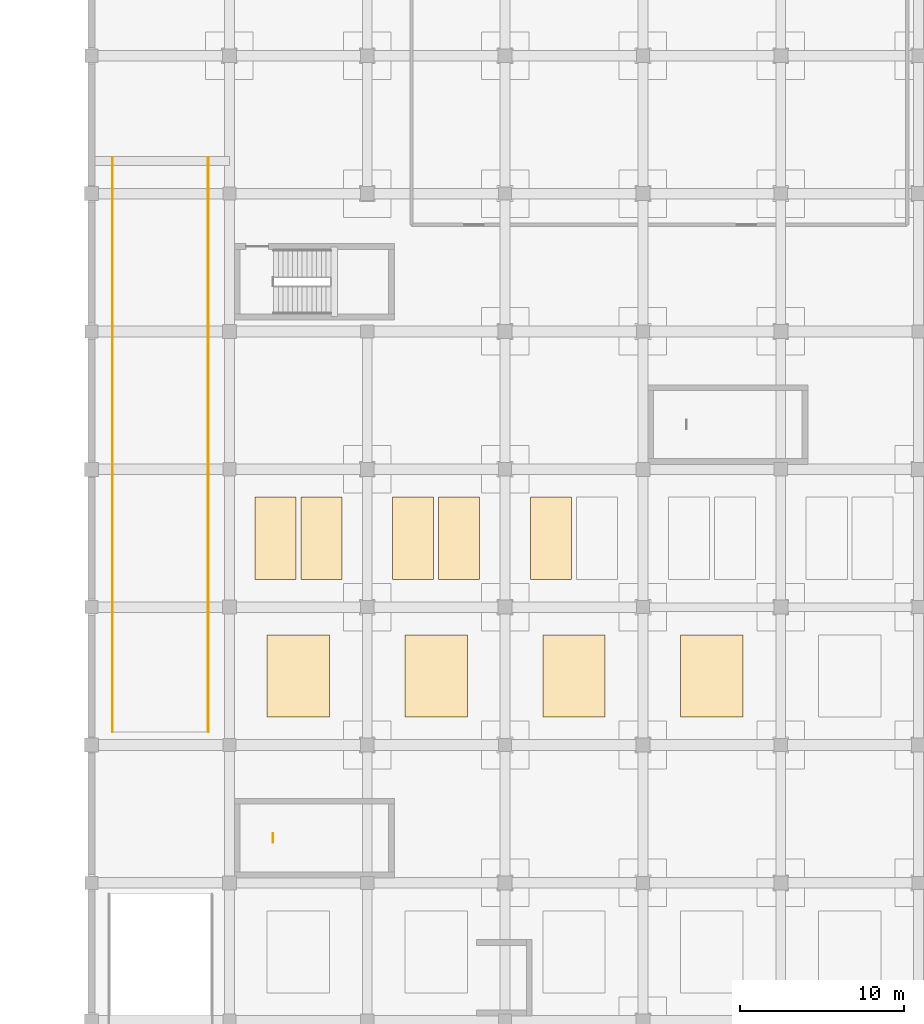
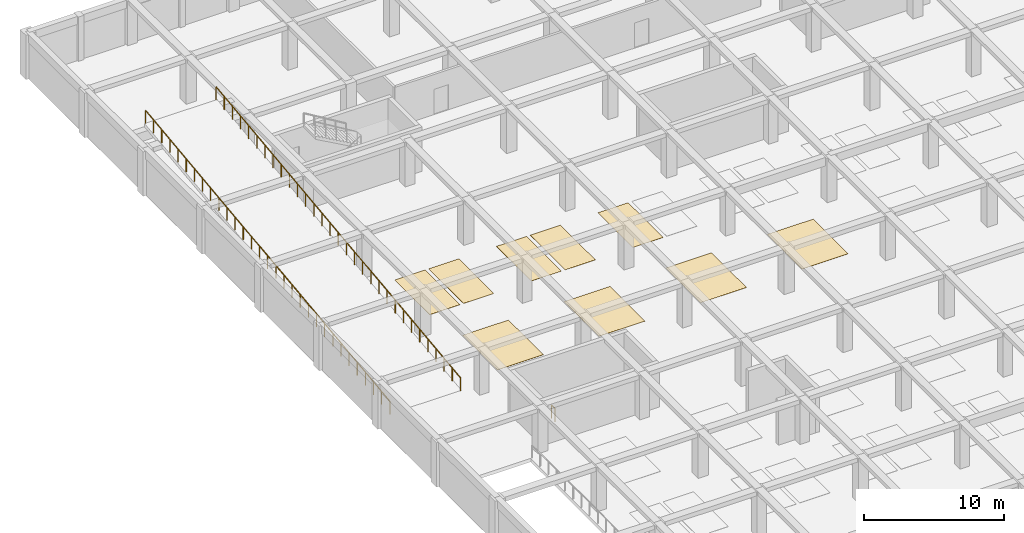
# One storey, part 26 of 32: 9 coverings, 3 railings.
"""IFC4 building model written with IfcOpenShell, lengths in metres."""

import ifcopenshell
import ifcopenshell.guid

model = None  # the IFC model being written
_history = None  # IfcOwnerHistory: only IFC2X3 demands one
_inside = {}  # id of a spatial element -> (the spatial element, [elements in it])
_under = {}  # id of a project, library or spatial element -> (it, [spatial elements below it])
_declared = {}  # id of a project -> (the project, [libraries it declares])
_typed = {}  # id of a type object -> (the type object, [elements of that type])
_made_of = {}  # id of a material, layer set ... -> (it, [elements and type objects made of it])


def new_model(schema):
    """Start an empty IFC model of exactly this schema.

    Asked for "IFC4X3", IfcOpenShell would pick the latest addendum, in which some entities
    have other attributes; the version numbers below select the first issue.
    IFC2X3 requires an IfcOwnerHistory on every rooted entity: one is made here for all.
    """
    global model, _history
    if schema == "IFC4X3":
        model = ifcopenshell.file(schema_version=(4, 3, 0, 0))
    else:
        model = ifcopenshell.file(schema=schema)
    _inside.clear()
    _under.clear()
    _declared.clear()
    _typed.clear()
    _made_of.clear()
    _history = None
    if model.schema == "IFC2X3":
        org = make("IfcOrganization", Name="unknown")
        user = make(
            "IfcPersonAndOrganization",
            ThePerson=make("IfcPerson", FamilyName="unknown"),
            TheOrganization=org,
        )
        app = make(
            "IfcApplication",
            ApplicationDeveloper=org,
            Version="unknown",
            ApplicationFullName="unknown",
            ApplicationIdentifier="unknown",
        )
        _history = make(
            "IfcOwnerHistory",
            OwningUser=user,
            OwningApplication=app,
            ChangeAction="ADDED",
            CreationDate=0,
        )
    return model


def make(cls, **values):
    """One entity of the class cls with the attributes given. An attribute that is None is left unset."""
    return model.create_entity(
        cls, **{name: value for name, value in values.items() if value is not None}
    )


def rooted(cls, **values):
    """An entity with a GlobalId (a new one), such as an element, a storey or a relation."""
    return make(cls, GlobalId=ifcopenshell.guid.new(), OwnerHistory=_history, **values)


def si_unit(unit_type, name, prefix=None):
    """IfcSIUnit, for example si_unit("LENGTHUNIT", "METRE", prefix="MILLI")."""
    return make("IfcSIUnit", UnitType=unit_type, Prefix=prefix, Name=name)


def assignment(units):
    """IfcUnitAssignment: the units of a project."""
    return None if units is None else make("IfcUnitAssignment", Units=units)


def point(xyz):
    """IfcCartesianPoint."""
    return None if xyz is None else make("IfcCartesianPoint", Coordinates=xyz)


def direction(xyz):
    """IfcDirection."""
    return None if xyz is None else make("IfcDirection", DirectionRatios=xyz)


def frame(location, z_axis=None, x_axis=None):
    """IfcAxis2Placement3D, a coordinate frame: its origin and axes. An axis left out is left unset."""
    return make(
        "IfcAxis2Placement3D",
        Location=point(location),
        Axis=direction(z_axis),
        RefDirection=direction(x_axis),
    )


def frame_2d(location, x_axis=None):
    """IfcAxis2Placement2D, a coordinate frame in the plane: its origin and x axis."""
    return make(
        "IfcAxis2Placement2D", Location=point(location), RefDirection=direction(x_axis)
    )


def origin():
    """The frame at (0, 0, 0) with its axes left unset."""
    return frame((0.0, 0.0, 0.0))


def origin_2d():
    """The frame at (0, 0) in the plane with its x axis left unset."""
    return frame_2d((0.0, 0.0))


def place(relative_to, where):
    """IfcLocalPlacement: puts the frame where relative to a parent placement (None: the world)."""
    return make(
        "IfcLocalPlacement", PlacementRelTo=relative_to, RelativePlacement=where
    )


def context(
    kind, dimensions, precision=None, world=None, true_north=None, identifier=None
):
    """IfcGeometricRepresentationContext, for example the 3D "Model" context."""
    return make(
        "IfcGeometricRepresentationContext",
        ContextIdentifier=identifier,
        ContextType=kind,
        CoordinateSpaceDimension=dimensions,
        Precision=precision,
        WorldCoordinateSystem=world,
        TrueNorth=true_north,
    )


def subcontext(parent, identifier, kind, view, scale=None):
    """IfcGeometricRepresentationSubContext, for example "Body" below "Model"."""
    return make(
        "IfcGeometricRepresentationSubContext",
        ContextIdentifier=identifier,
        ContextType=kind,
        ParentContext=parent,
        TargetScale=scale,
        TargetView=view,
    )


def project(units=None, contexts=None):
    """IfcProject with its units and contexts."""
    return rooted(
        "IfcProject",
        Name="project",
        RepresentationContexts=contexts,
        UnitsInContext=assignment(units),
    )


def spatial(cls, under=None, at=None, **own):
    """A site, building, storey or space (cls), placed at a placement, below another one or the project."""
    s = rooted(cls, ObjectPlacement=at, **own)
    if under is not None:
        _under.setdefault(under.id(), (under, []))[1].append(s)
    return s


def profile(cls, at=None, kind="AREA", **sizes):
    """A parametric profile (cls). Its sizes go by their IFC names, for example OverallWidth=200.0."""
    return make(cls, ProfileType=kind, Position=at, **sizes)


def rectangle(**sizes):
    """IfcRectangleProfileDef."""
    return profile("IfcRectangleProfileDef", **sizes)


def circle(**sizes):
    """IfcCircleProfileDef."""
    return profile("IfcCircleProfileDef", **sizes)


def extrude(swept, where, along, depth):
    """IfcExtrudedAreaSolid: the profile swept, set in the frame where, extruded along a direction by depth."""
    return make(
        "IfcExtrudedAreaSolid",
        SweptArea=swept,
        Position=where,
        ExtrudedDirection=direction(along),
        Depth=depth,
    )


def shape(context_of_items, identifier, shape_type, items):
    """IfcShapeRepresentation: the items that make up one representation, for example the "Body"."""
    return make(
        "IfcShapeRepresentation",
        ContextOfItems=context_of_items,
        RepresentationIdentifier=identifier,
        RepresentationType=shape_type,
        Items=items,
    )


def material(Name=None, Category=None):
    """IfcMaterial."""
    return make("IfcMaterial", Name=Name, Category=Category)


def layer(
    of_material, thickness, ventilated=None, Name=None, Category=None, Priority=None
):
    """IfcMaterialLayer: one layer of a wall or slab, of a material (None: an air gap)."""
    return make(
        "IfcMaterialLayer",
        Material=of_material,
        LayerThickness=thickness,
        IsVentilated=ventilated,
        Name=Name,
        Category=Category,
        Priority=Priority,
    )


def layer_set(layers, Name=None):
    """IfcMaterialLayerSet."""
    return make("IfcMaterialLayerSet", MaterialLayers=layers, LayerSetName=Name)


def made_of(thing, what):
    """Note that an element or type object is made of a material, layer set ...; save() writes the relation."""
    if what is not None:
        _made_of.setdefault(what.id(), (what, []))[1].append(thing)
    return thing


def type_object(cls, material=None, **own):
    """A type object (cls), such as IfcWallType, which elements share."""
    return made_of(rooted(cls, **own), material)


def element(
    cls,
    number,
    at=None,
    inside=None,
    cuts=None,
    type_object=None,
    material=None,
    context=None,
    identifier="Body",
    shape_type=None,
    held_by="IfcProductDefinitionShape",
    body=None,
    shapes=None,
    **own,
):
    """One element of the class cls, such as IfcWall. Its Tag is "e" and its number.

    at: its placement. inside: the storey or other place that contains it. cuts: it is an
    opening in that element (IfcRelVoidsElement). A single representation is given by context,
    identifier, shape_type and body (its items); several are given by shapes. held_by: the class
    of the entity that holds the representations. save() writes the other relations.
    """
    e = rooted(cls, Tag="e%d" % number, ObjectPlacement=at, **own)
    if body is not None:
        shapes = [shape(context, identifier, shape_type, body)]
    if shapes is not None:
        e.Representation = make(held_by, Representations=shapes)
    if inside is not None:
        _inside.setdefault(inside.id(), (inside, []))[1].append(e)
    if cuts is not None:
        rooted(
            "IfcRelVoidsElement", RelatingBuildingElement=cuts, RelatedOpeningElement=e
        )
    if type_object is not None:
        _typed.setdefault(type_object.id(), (type_object, []))[1].append(e)
    return made_of(e, material)


def aggregate(whole, parts):
    """IfcRelAggregates: a whole, such as a stair, and the parts it consists of."""
    return rooted("IfcRelAggregates", RelatingObject=whole, RelatedObjects=parts)


def save(model, path):
    """Write the relations noted so far, then the file.

    IfcRelAggregates (storeys below a building ...), IfcRelContainedInSpatialStructure (elements
    in a storey), IfcRelDefinesByType, IfcRelAssociatesMaterial and IfcRelDeclares: one each for
    every whole, place, type object, material and project.
    """
    for whole, parts in _under.values():
        aggregate(whole, parts)
    for where, things in _inside.values():
        rooted(
            "IfcRelContainedInSpatialStructure",
            RelatedElements=things,
            RelatingStructure=where,
        )
    for kind, things in _typed.values():
        rooted("IfcRelDefinesByType", RelatedObjects=things, RelatingType=kind)
    for what, things in _made_of.values():
        rooted("IfcRelAssociatesMaterial", RelatedObjects=things, RelatingMaterial=what)
    for by, libraries in _declared.values():
        rooted("IfcRelDeclares", RelatingContext=by, RelatedDefinitions=libraries)
    model.write(path)


model = new_model("IFC4")

# Units and contexts
model_context = context("Model", 3, precision=1e-05, world=origin(), true_north=direction((0.0, 1.0)))
body_context = subcontext(model_context, "Body", "Model", "MODEL_VIEW")
ifc_project = project(units=[si_unit("LENGTHUNIT", "METRE"), si_unit("AREAUNIT", "SQUARE_METRE"), si_unit("VOLUMEUNIT", "CUBIC_METRE"), si_unit("PLANEANGLEUNIT", "RADIAN"), si_unit("MASSUNIT", "GRAM", prefix="KILO")], contexts=[model_context])

# Site, building, storey
site_placement = place(None, origin())
site = spatial("IfcSite", under=ifc_project, at=site_placement, CompositionType="ELEMENT")
building_placement = place(site_placement, origin())
building = spatial("IfcBuilding", under=site, at=building_placement, Name="Almacenes y Pasaje Nevantli", CompositionType="ELEMENT")
storey_placement = place(building_placement, frame((0.0, 0.0, -4.199951171875)))
storey = spatial("IfcBuildingStorey", under=building, at=storey_placement, Name="B01", CompositionType="ELEMENT", Elevation=-4.199951171875)

# Coverings
ifc_material_1 = material(Name="Thermoplastic Accessible Stall Marking", Category="stone")
ifc_layer_1 = layer(ifc_material_1, 0.010009765625)
ifc_layer_set_1 = layer_set([ifc_layer_1], Name="Thermoplastic Accessible Stall Marking")
covering_type_1 = type_object("IfcCoveringType", Name="COV-PARK-ACC", PredefinedType="FLOORING", material=ifc_layer_set_1)
for number, where, z_axis, x_axis, name in (
    (1, (12.60009765625, 71.39990234375, 0.0), (0.0, 0.0, 1.0), (1.0, 0.0, 0.0), "B01 Accessible Parking Bay Marking #22"),
    (2, (21.0, 71.39990234375, 0.0), (0.0, 0.0, 1.0), (1.0, 0.0, 0.0), "B01 Accessible Parking Bay Marking #23"),
    (3, (29.39990234375, 71.39990234375, 0.0), (0.0, 0.0, 1.0), (1.0, 0.0, 0.0), "B01 Accessible Parking Bay Marking #24"),
    (4, (37.800048828125, 71.39990234375, 0.0), (0.0, 0.0, 1.0), (1.0, 0.0, 0.0), "B01 Accessible Parking Bay Marking #25"),
):
    element("IfcCovering", number, at=place(storey_placement, frame(where, z_axis=z_axis, x_axis=x_axis)), inside=storey, type_object=covering_type_1, Name=name, PredefinedType="FLOORING", context=body_context, shape_type="SweptSolid", body=[
        extrude(rectangle(XDim=3.800048828125, YDim=5.0, at=origin_2d()), origin(), (0.0, 0.0, 1.0), 0.010009765625),
    ])
ifc_material_2 = material(Name="Thermoplastic Traffic Deck Marking", Category="stone")
ifc_layer_2 = layer(ifc_material_2, 0.010009765625)
ifc_layer_set_2 = layer_set([ifc_layer_2], Name="Thermoplastic Traffic Deck Marking")
covering_type_2 = type_object("IfcCoveringType", Name="COV-PARK-BAY", PredefinedType="FLOORING", material=ifc_layer_set_2)
for number, where, z_axis, x_axis, name in (
    (5, (11.199951171875, 79.800048828125, 0.0), (0.0, 0.0, 1.0), (1.0, 0.0, 0.0), "B01 Underground Parking Bay Marking #83"),
    (6, (14.0, 79.800048828125, 0.0), (0.0, 0.0, 1.0), (1.0, 0.0, 0.0), "B01 Underground Parking Bay Marking #84"),
    (7, (19.60009765625, 79.800048828125, 0.0), (0.0, 0.0, 1.0), (1.0, 0.0, 0.0), "B01 Underground Parking Bay Marking #85"),
    (8, (22.39990234375, 79.800048828125, 0.0), (0.0, 0.0, 1.0), (1.0, 0.0, 0.0), "B01 Underground Parking Bay Marking #86"),
    (9, (28.0, 79.800048828125, 0.0), (0.0, 0.0, 1.0), (1.0, 0.0, 0.0), "B01 Underground Parking Bay Marking #87"),
):
    element("IfcCovering", number, at=place(storey_placement, frame(where, z_axis=z_axis, x_axis=x_axis)), inside=storey, type_object=covering_type_2, Name=name, PredefinedType="FLOORING", context=body_context, shape_type="SweptSolid", body=[
        extrude(rectangle(XDim=2.5, YDim=5.0, at=origin_2d()), origin(), (0.0, 0.0, 1.0), 0.010009765625),
    ])

# Railings
ifc_material_3 = material(Name="Brushed Stainless Steel and Tempered Safety Glass", Category="steel")
railing_type = type_object("IfcRailingType", Name="RL-GUARD-1100", PredefinedType="BALUSTRADE", material=ifc_material_3)
railing_1_placement = place(storey_placement, frame((11.06005859375, 61.260009765625, 0.0)))
element("IfcRailing", 10, at=railing_1_placement, inside=storey, type_object=railing_type, Name="B01 Stair ST-12 Landing Well Slot Guard", PredefinedType="BALUSTRADE", context=body_context, shape_type="SweptSolid", body=[
    extrude(circle(Radius=0.02392578125, at=origin_2d()), frame((0.0, 0.030029296875, 1.1259765625), z_axis=(0.0, 1.0, 0.0), x_axis=(-1.0, 0.0, 0.0)), (0.0, 0.0, 1.0), 0.469970703125),
    extrude(circle(Radius=0.02099609375, at=origin_2d()), origin(), (0.0, 0.0, 1.0), 1.096923828125),
    extrude(circle(Radius=0.02099609375, at=origin_2d()), frame((0.0, 0.530029296875, 0.0)), (0.0, 0.0, 1.0), 1.096923828125),
])
railing_2_placement = place(storey_placement, frame((1.280029296875, 68.0, 0.0)))
element("IfcRailing", 11, at=railing_2_placement, inside=storey, type_object=railing_type, Name="B01 Vehicular Ramp RP-02 West Curb Guard", PredefinedType="BALUSTRADE", context=body_context, shape_type="SweptSolid", body=[
    extrude(circle(Radius=0.02392578125, at=origin_2d()), frame((0.0, 0.02978515625, 1.12939453125), z_axis=(0.0, 0.992877002345, 0.119143855129), x_axis=(-1.0, 0.0, 0.0)), (0.0, 0.0, 1.0), 35.191162109375),
    extrude(circle(Radius=0.02099609375, at=origin_2d()), origin(), (0.0, 0.0, 1.0), 1.096923828125),
    extrude(circle(Radius=0.02099609375, at=origin_2d()), frame((0.0, 1.166748046875, 0.139892578125)), (0.0, 0.0, 1.0), 1.096923828125),
    extrude(circle(Radius=0.02099609375, at=origin_2d()), frame((0.0, 2.333251953125, 0.280029296875)), (0.0, 0.0, 1.0), 1.096923828125),
    extrude(circle(Radius=0.02099609375, at=origin_2d()), frame((0.0, 3.5, 0.419921875)), (0.0, 0.0, 1.0), 1.096923828125),
    extrude(circle(Radius=0.02099609375, at=origin_2d()), frame((0.0, 4.666748046875, 0.56005859375)), (0.0, 0.0, 1.0), 1.096923828125),
    extrude(circle(Radius=0.02099609375, at=origin_2d()), frame((0.0, 5.833251953125, 0.699951171875)), (0.0, 0.0, 1.0), 1.096923828125),
    extrude(circle(Radius=0.02099609375, at=origin_2d()), frame((0.0, 7.0, 0.840087890625)), (0.0, 0.0, 1.0), 1.096923828125),
    extrude(circle(Radius=0.02099609375, at=origin_2d()), frame((0.0, 8.166748046875, 0.97998046875)), (0.0, 0.0, 1.0), 1.096923828125),
    extrude(circle(Radius=0.02099609375, at=origin_2d()), frame((0.0, 9.333251953125, 1.119873046875)), (0.0, 0.0, 1.0), 1.096923828125),
    extrude(circle(Radius=0.02099609375, at=origin_2d()), frame((0.0, 10.5, 1.260009765625)), (0.0, 0.0, 1.0), 1.096923828125),
    extrude(circle(Radius=0.02099609375, at=origin_2d()), frame((0.0, 11.666748046875, 1.39990234375)), (0.0, 0.0, 1.0), 1.096923828125),
    extrude(circle(Radius=0.02099609375, at=origin_2d()), frame((0.0, 12.833251953125, 1.5400390625)), (0.0, 0.0, 1.0), 1.096923828125),
    extrude(circle(Radius=0.02099609375, at=origin_2d()), frame((0.0, 14.0, 1.679931640625)), (0.0, 0.0, 1.0), 1.096923828125),
    extrude(circle(Radius=0.02099609375, at=origin_2d()), frame((0.0, 15.166748046875, 1.820068359375)), (0.0, 0.0, 1.0), 1.096923828125),
    extrude(circle(Radius=0.02099609375, at=origin_2d()), frame((0.0, 16.333251953125, 1.9599609375)), (0.0, 0.0, 1.0), 1.096923828125),
    extrude(circle(Radius=0.02099609375, at=origin_2d()), frame((0.0, 17.5, 2.10009765625)), (0.0, 0.0, 1.0), 1.096923828125),
    extrude(circle(Radius=0.02099609375, at=origin_2d()), frame((0.0, 18.666748046875, 2.239990234375)), (0.0, 0.0, 1.0), 1.096923828125),
    extrude(circle(Radius=0.02099609375, at=origin_2d()), frame((0.0, 19.833251953125, 2.3798828125)), (0.0, 0.0, 1.0), 1.096923828125),
    extrude(circle(Radius=0.02099609375, at=origin_2d()), frame((0.0, 21.0, 2.52001953125)), (0.0, 0.0, 1.0), 1.096923828125),
    extrude(circle(Radius=0.02099609375, at=origin_2d()), frame((0.0, 22.166748046875, 2.659912109375)), (0.0, 0.0, 1.0), 1.096923828125),
    extrude(circle(Radius=0.02099609375, at=origin_2d()), frame((0.0, 23.333251953125, 2.800048828125)), (0.0, 0.0, 1.0), 1.096923828125),
    extrude(circle(Radius=0.02099609375, at=origin_2d()), frame((0.0, 24.5, 2.93994140625)), (0.0, 0.0, 1.0), 1.096923828125),
    extrude(circle(Radius=0.02099609375, at=origin_2d()), frame((0.0, 25.666748046875, 3.080078125)), (0.0, 0.0, 1.0), 1.096923828125),
    extrude(circle(Radius=0.02099609375, at=origin_2d()), frame((0.0, 26.833251953125, 3.219970703125)), (0.0, 0.0, 1.0), 1.096923828125),
    extrude(circle(Radius=0.02099609375, at=origin_2d()), frame((0.0, 28.0, 3.35986328125)), (0.0, 0.0, 1.0), 1.096923828125),
    extrude(circle(Radius=0.02099609375, at=origin_2d()), frame((0.0, 29.166748046875, 3.5)), (0.0, 0.0, 1.0), 1.096923828125),
    extrude(circle(Radius=0.02099609375, at=origin_2d()), frame((0.0, 30.333251953125, 3.639892578125)), (0.0, 0.0, 1.0), 1.096923828125),
    extrude(circle(Radius=0.02099609375, at=origin_2d()), frame((0.0, 31.5, 3.780029296875)), (0.0, 0.0, 1.0), 1.096923828125),
    extrude(circle(Radius=0.02099609375, at=origin_2d()), frame((0.0, 32.666748046875, 3.919921875)), (0.0, 0.0, 1.0), 1.096923828125),
    extrude(circle(Radius=0.02099609375, at=origin_2d()), frame((0.0, 33.833251953125, 4.06005859375)), (0.0, 0.0, 1.0), 1.096923828125),
    extrude(circle(Radius=0.02099609375, at=origin_2d()), frame((0.0, 35.0, 4.199951171875)), (0.0, 0.0, 1.0), 1.096923828125),
])
railing_3_placement = place(storey_placement, frame((7.1201171875, 68.0, 0.0)))
element("IfcRailing", 12, at=railing_3_placement, inside=storey, type_object=railing_type, Name="B01 Vehicular Ramp RP-02 East Curb Guard", PredefinedType="BALUSTRADE", context=body_context, shape_type="SweptSolid", body=[
    extrude(circle(Radius=0.02392578125, at=origin_2d()), frame((0.0, 0.02978515625, 1.12939453125), z_axis=(0.0, 0.992877002345, 0.119143855129), x_axis=(-1.0, 0.0, 0.0)), (0.0, 0.0, 1.0), 35.191162109375),
    extrude(circle(Radius=0.02099609375, at=origin_2d()), origin(), (0.0, 0.0, 1.0), 1.096923828125),
    extrude(circle(Radius=0.02099609375, at=origin_2d()), frame((0.0, 1.166748046875, 0.139892578125)), (0.0, 0.0, 1.0), 1.096923828125),
    extrude(circle(Radius=0.02099609375, at=origin_2d()), frame((0.0, 2.333251953125, 0.280029296875)), (0.0, 0.0, 1.0), 1.096923828125),
    extrude(circle(Radius=0.02099609375, at=origin_2d()), frame((0.0, 3.5, 0.419921875)), (0.0, 0.0, 1.0), 1.096923828125),
    extrude(circle(Radius=0.02099609375, at=origin_2d()), frame((0.0, 4.666748046875, 0.56005859375)), (0.0, 0.0, 1.0), 1.096923828125),
    extrude(circle(Radius=0.02099609375, at=origin_2d()), frame((0.0, 5.833251953125, 0.699951171875)), (0.0, 0.0, 1.0), 1.096923828125),
    extrude(circle(Radius=0.02099609375, at=origin_2d()), frame((0.0, 7.0, 0.840087890625)), (0.0, 0.0, 1.0), 1.096923828125),
    extrude(circle(Radius=0.02099609375, at=origin_2d()), frame((0.0, 8.166748046875, 0.97998046875)), (0.0, 0.0, 1.0), 1.096923828125),
    extrude(circle(Radius=0.02099609375, at=origin_2d()), frame((0.0, 9.333251953125, 1.119873046875)), (0.0, 0.0, 1.0), 1.096923828125),
    extrude(circle(Radius=0.02099609375, at=origin_2d()), frame((0.0, 10.5, 1.260009765625)), (0.0, 0.0, 1.0), 1.096923828125),
    extrude(circle(Radius=0.02099609375, at=origin_2d()), frame((0.0, 11.666748046875, 1.39990234375)), (0.0, 0.0, 1.0), 1.096923828125),
    extrude(circle(Radius=0.02099609375, at=origin_2d()), frame((0.0, 12.833251953125, 1.5400390625)), (0.0, 0.0, 1.0), 1.096923828125),
    extrude(circle(Radius=0.02099609375, at=origin_2d()), frame((0.0, 14.0, 1.679931640625)), (0.0, 0.0, 1.0), 1.096923828125),
    extrude(circle(Radius=0.02099609375, at=origin_2d()), frame((0.0, 15.166748046875, 1.820068359375)), (0.0, 0.0, 1.0), 1.096923828125),
    extrude(circle(Radius=0.02099609375, at=origin_2d()), frame((0.0, 16.333251953125, 1.9599609375)), (0.0, 0.0, 1.0), 1.096923828125),
    extrude(circle(Radius=0.02099609375, at=origin_2d()), frame((0.0, 17.5, 2.10009765625)), (0.0, 0.0, 1.0), 1.096923828125),
    extrude(circle(Radius=0.02099609375, at=origin_2d()), frame((0.0, 18.666748046875, 2.239990234375)), (0.0, 0.0, 1.0), 1.096923828125),
    extrude(circle(Radius=0.02099609375, at=origin_2d()), frame((0.0, 19.833251953125, 2.3798828125)), (0.0, 0.0, 1.0), 1.096923828125),
    extrude(circle(Radius=0.02099609375, at=origin_2d()), frame((0.0, 21.0, 2.52001953125)), (0.0, 0.0, 1.0), 1.096923828125),
    extrude(circle(Radius=0.02099609375, at=origin_2d()), frame((0.0, 22.166748046875, 2.659912109375)), (0.0, 0.0, 1.0), 1.096923828125),
    extrude(circle(Radius=0.02099609375, at=origin_2d()), frame((0.0, 23.333251953125, 2.800048828125)), (0.0, 0.0, 1.0), 1.096923828125),
    extrude(circle(Radius=0.02099609375, at=origin_2d()), frame((0.0, 24.5, 2.93994140625)), (0.0, 0.0, 1.0), 1.096923828125),
    extrude(circle(Radius=0.02099609375, at=origin_2d()), frame((0.0, 25.666748046875, 3.080078125)), (0.0, 0.0, 1.0), 1.096923828125),
    extrude(circle(Radius=0.02099609375, at=origin_2d()), frame((0.0, 26.833251953125, 3.219970703125)), (0.0, 0.0, 1.0), 1.096923828125),
    extrude(circle(Radius=0.02099609375, at=origin_2d()), frame((0.0, 28.0, 3.35986328125)), (0.0, 0.0, 1.0), 1.096923828125),
    extrude(circle(Radius=0.02099609375, at=origin_2d()), frame((0.0, 29.166748046875, 3.5)), (0.0, 0.0, 1.0), 1.096923828125),
    extrude(circle(Radius=0.02099609375, at=origin_2d()), frame((0.0, 30.333251953125, 3.639892578125)), (0.0, 0.0, 1.0), 1.096923828125),
    extrude(circle(Radius=0.02099609375, at=origin_2d()), frame((0.0, 31.5, 3.780029296875)), (0.0, 0.0, 1.0), 1.096923828125),
    extrude(circle(Radius=0.02099609375, at=origin_2d()), frame((0.0, 32.666748046875, 3.919921875)), (0.0, 0.0, 1.0), 1.096923828125),
    extrude(circle(Radius=0.02099609375, at=origin_2d()), frame((0.0, 33.833251953125, 4.06005859375)), (0.0, 0.0, 1.0), 1.096923828125),
    extrude(circle(Radius=0.02099609375, at=origin_2d()), frame((0.0, 35.0, 4.199951171875)), (0.0, 0.0, 1.0), 1.096923828125),
])

save(model, "model.ifc")
